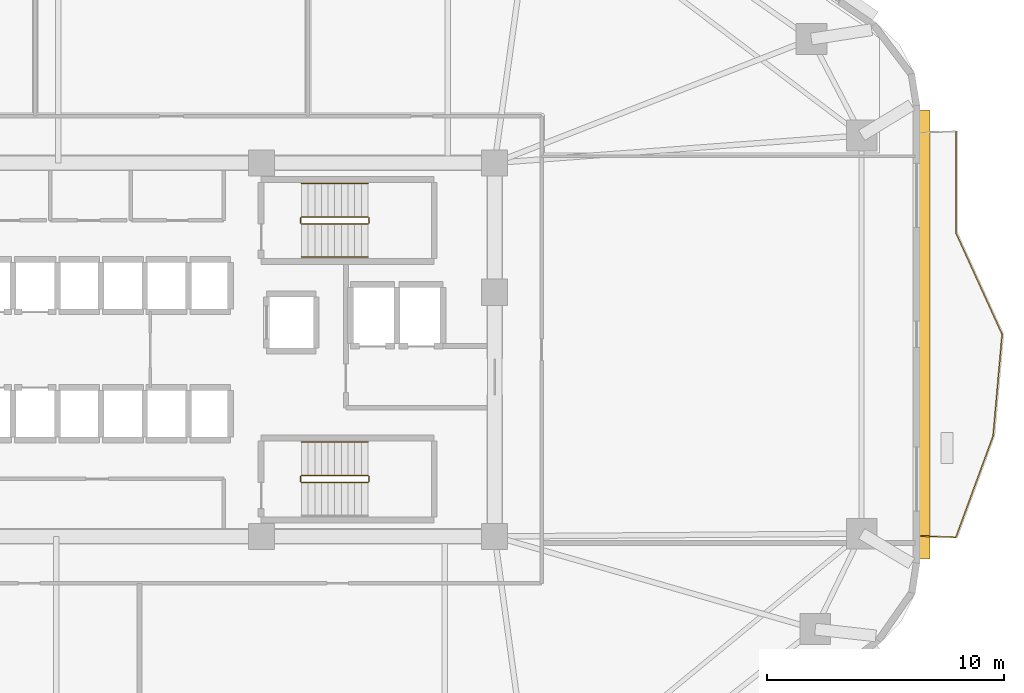
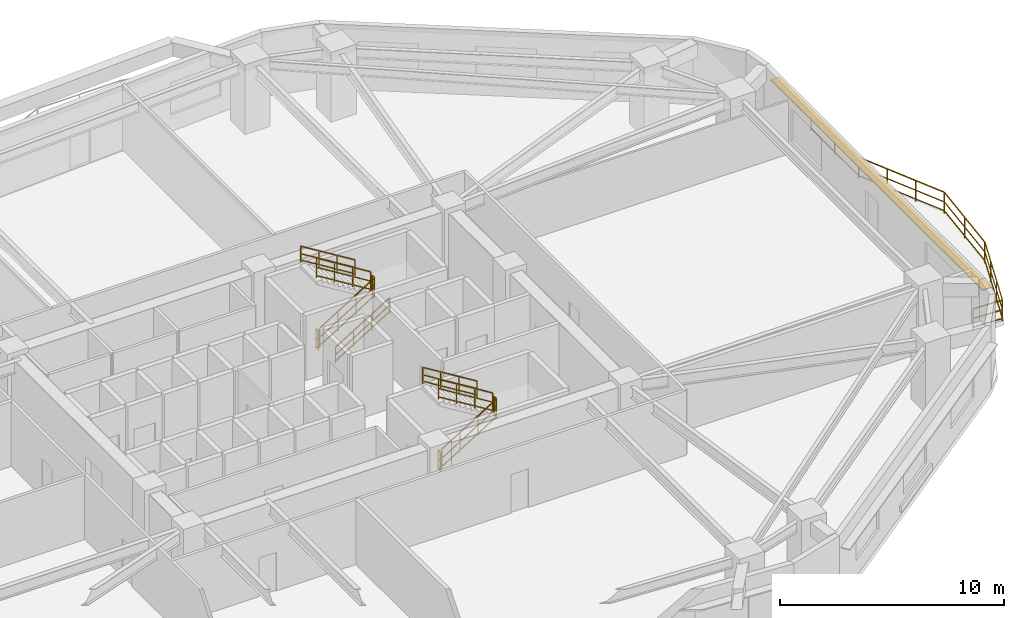
# One storey, part 8 of 9: 16 railings, 1 shading device.
"""IFC4 building model written with IfcOpenShell, lengths in metres."""

from ifc_helpers import new_model, si_unit, direction, frame, origin, origin_2d, place, context, subcontext, project, spatial, rectangle, extrude, material, layer, layer_set, type_object, element, save


model = new_model("IFC4")

# Units and contexts
model_context = context("Model", 3, precision=1e-05, world=origin(), true_north=direction((0.0, 1.0)))
body_context = subcontext(model_context, "Body", "Model", "MODEL_VIEW")
ifc_project = project(units=[si_unit("LENGTHUNIT", "METRE"), si_unit("AREAUNIT", "SQUARE_METRE"), si_unit("VOLUMEUNIT", "CUBIC_METRE"), si_unit("PLANEANGLEUNIT", "RADIAN"), si_unit("MASSUNIT", "GRAM", prefix="KILO")], contexts=[model_context])

# Site, building, storey
site_placement = place(None, origin())
site = spatial("IfcSite", under=ifc_project, at=site_placement, CompositionType="ELEMENT")
building_placement = place(site_placement, origin())
building = spatial("IfcBuilding", under=site, at=building_placement, Name="Zulverin Broadcast Headquarters", CompositionType="ELEMENT")
storey_placement = place(building_placement, frame((0.0, 0.0, 82.0)))
storey = spatial("IfcBuildingStorey", under=building, at=storey_placement, Name="L20", CompositionType="ELEMENT", Elevation=82.0)

# Railings
ifc_material_1 = material(Name="Brushed stainless steel & laminated glass balustrade", Category="steel")
railing_type_1 = type_object("IfcRailingType", Name="RL-GUARD-1150", PredefinedType="GUARDRAIL", material=ifc_material_1)
railing_1_placement = place(storey_placement, frame((66.239990234375, 17.343505859375, 0.0)))
element("IfcRailing", 1, at=railing_1_placement, inside=storey, type_object=railing_type_1, Name="L20 Vertical-Forest Balcony Guardrail BAL_E Segment 01", PredefinedType="GUARDRAIL", context=body_context, shape_type="SweptSolid", body=[
    extrude(rectangle(XDim=0.048095703125, YDim=0.048095703125, at=origin_2d()), frame((0.0, 0.0, 1.1259765625), z_axis=(0.999174410196, -0.040626321628, 0.0), x_axis=(0.040626321628, 0.999174410196, 0.0)), (0.0, 0.0, 1.0), 1.46630859375),
    extrude(rectangle(XDim=0.0419921875, YDim=0.0419921875, at=origin_2d()), frame((0.0, 0.0, 0.597900390625), z_axis=(0.999174410196, -0.040626321628, 0.0), x_axis=(0.040626321628, 0.999174410196, 0.0)), (0.0, 0.0, 1.0), 1.46630859375),
    extrude(rectangle(XDim=0.0419921875, YDim=0.0419921875, at=origin_2d()), frame((0.0, 0.0, 0.1201171875), z_axis=(0.999174410196, -0.040626321628, 0.0), x_axis=(0.040626321628, 0.999174410196, 0.0)), (0.0, 0.0, 1.0), 1.46630859375),
    extrude(rectangle(XDim=0.0419921875, YDim=0.0419921875, at=origin_2d()), origin(), (0.0, 0.0, 1.0), 1.101806640625),
    extrude(rectangle(XDim=0.0419921875, YDim=0.0419921875, at=origin_2d()), frame((1.465087890625, -0.0595703125, 0.0)), (0.0, 0.0, 1.0), 1.101806640625),
])
railing_2_placement = place(storey_placement, frame((67.72509765625, 17.297607421875, 0.0)))
element("IfcRailing", 2, at=railing_2_placement, inside=storey, type_object=railing_type_1, Name="L20 Vertical-Forest Balcony Guardrail BAL_E Segment 02", PredefinedType="GUARDRAIL", context=body_context, shape_type="SweptSolid", body=[
    extrude(rectangle(XDim=0.048095703125, YDim=0.048095703125, at=origin_2d()), frame((0.0, 0.0, 1.1259765625), z_axis=(0.344609188116, 0.938746242318, 0.0), x_axis=(-0.938746242318, 0.344609188116, 0.0)), (0.0, 0.0, 1.0), 4.531982421875),
    extrude(rectangle(XDim=0.0419921875, YDim=0.0419921875, at=origin_2d()), frame((0.0, 0.0, 0.597900390625), z_axis=(0.344609188116, 0.938746242318, 0.0), x_axis=(-0.938746242318, 0.344609188116, 0.0)), (0.0, 0.0, 1.0), 4.531982421875),
    extrude(rectangle(XDim=0.0419921875, YDim=0.0419921875, at=origin_2d()), frame((0.0, 0.0, 0.1201171875), z_axis=(0.344609188116, 0.938746242318, 0.0), x_axis=(-0.938746242318, 0.344609188116, 0.0)), (0.0, 0.0, 1.0), 4.531982421875),
    extrude(rectangle(XDim=0.0419921875, YDim=0.0419921875, at=origin_2d()), origin(), (0.0, 0.0, 1.0), 1.101806640625),
    extrude(rectangle(XDim=0.0419921875, YDim=0.0419921875, at=origin_2d()), frame((0.5205078125, 1.418212890625, 0.0)), (0.0, 0.0, 1.0), 1.101806640625),
    extrude(rectangle(XDim=0.0419921875, YDim=0.0419921875, at=origin_2d()), frame((1.041259765625, 2.836181640625, 0.0)), (0.0, 0.0, 1.0), 1.101806640625),
    extrude(rectangle(XDim=0.0419921875, YDim=0.0419921875, at=origin_2d()), frame((1.561767578125, 4.25439453125, 0.0)), (0.0, 0.0, 1.0), 1.101806640625),
])
railing_3_placement = place(storey_placement, frame((69.293212890625, 21.5810546875, 0.0)))
element("IfcRailing", 3, at=railing_3_placement, inside=storey, type_object=railing_type_1, Name="L20 Vertical-Forest Balcony Guardrail BAL_E Segment 03", PredefinedType="GUARDRAIL", context=body_context, shape_type="SweptSolid", body=[
    extrude(rectangle(XDim=0.048095703125, YDim=0.048095703125, at=origin_2d()), frame((0.0, 0.0, 1.1259765625), z_axis=(0.087947213547, 0.996125136531, 0.0), x_axis=(-0.996125136531, 0.087947213547, 0.0)), (0.0, 0.0, 1.0), 4.26953125),
    extrude(rectangle(XDim=0.0419921875, YDim=0.0419921875, at=origin_2d()), frame((0.0, 0.0, 0.597900390625), z_axis=(0.087947213547, 0.996125136531, 0.0), x_axis=(-0.996125136531, 0.087947213547, 0.0)), (0.0, 0.0, 1.0), 4.26953125),
    extrude(rectangle(XDim=0.0419921875, YDim=0.0419921875, at=origin_2d()), frame((0.0, 0.0, 0.1201171875), z_axis=(0.087947213547, 0.996125136531, 0.0), x_axis=(-0.996125136531, 0.087947213547, 0.0)), (0.0, 0.0, 1.0), 4.26953125),
    extrude(rectangle(XDim=0.0419921875, YDim=0.0419921875, at=origin_2d()), origin(), (0.0, 0.0, 1.0), 1.101806640625),
    extrude(rectangle(XDim=0.0419921875, YDim=0.0419921875, at=origin_2d()), frame((0.187744140625, 2.12646484375, 0.0)), (0.0, 0.0, 1.0), 1.101806640625),
    extrude(rectangle(XDim=0.0419921875, YDim=0.0419921875, at=origin_2d()), frame((0.37548828125, 4.2529296875, 0.0)), (0.0, 0.0, 1.0), 1.101806640625),
])
railing_4_placement = place(storey_placement, frame((69.663818359375, 25.862548828125, 0.0)))
element("IfcRailing", 4, at=railing_4_placement, inside=storey, type_object=railing_type_1, Name="L20 Vertical-Forest Balcony Guardrail BAL_E Segment 04", PredefinedType="GUARDRAIL", context=body_context, shape_type="SweptSolid", body=[
    extrude(rectangle(XDim=0.048095703125, YDim=0.048095703125, at=origin_2d()), frame((0.0, 0.0, 1.1259765625), z_axis=(-0.414377225537, 0.910105221915, 0.0), x_axis=(-0.910105221915, -0.414377225537, 0.0)), (0.0, 0.0, 1.0), 4.67578125),
    extrude(rectangle(XDim=0.0419921875, YDim=0.0419921875, at=origin_2d()), frame((0.0, 0.0, 0.597900390625), z_axis=(-0.414377225537, 0.910105221915, 0.0), x_axis=(-0.910105221915, -0.414377225537, 0.0)), (0.0, 0.0, 1.0), 4.67578125),
    extrude(rectangle(XDim=0.0419921875, YDim=0.0419921875, at=origin_2d()), frame((0.0, 0.0, 0.1201171875), z_axis=(-0.414377225537, 0.910105221915, 0.0), x_axis=(-0.910105221915, -0.414377225537, 0.0)), (0.0, 0.0, 1.0), 4.67578125),
    extrude(rectangle(XDim=0.0419921875, YDim=0.0419921875, at=origin_2d()), origin(), (0.0, 0.0, 1.0), 1.101806640625),
    extrude(rectangle(XDim=0.0419921875, YDim=0.0419921875, at=origin_2d()), frame((-0.645751953125, 1.41845703125, 0.0)), (0.0, 0.0, 1.0), 1.101806640625),
    extrude(rectangle(XDim=0.0419921875, YDim=0.0419921875, at=origin_2d()), frame((-1.291748046875, 2.8369140625, 0.0)), (0.0, 0.0, 1.0), 1.101806640625),
    extrude(rectangle(XDim=0.0419921875, YDim=0.0419921875, at=origin_2d()), frame((-1.9375, 4.25537109375, 0.0)), (0.0, 0.0, 1.0), 1.101806640625),
])
railing_5_placement = place(storey_placement, frame((67.719970703125, 30.146728515625, 0.0)))
element("IfcRailing", 5, at=railing_5_placement, inside=storey, type_object=railing_type_1, Name="L20 Vertical-Forest Balcony Guardrail BAL_E Segment 05", PredefinedType="GUARDRAIL", context=body_context, shape_type="SweptSolid", body=[
    extrude(rectangle(XDim=0.048095703125, YDim=0.048095703125, at=origin_2d()), frame((0.0, 0.0, 1.1259765625), z_axis=(0.0, 1.0, 0.0), x_axis=(-1.0, 0.0, 0.0)), (0.0, 0.0, 1.0), 4.252685546875),
    extrude(rectangle(XDim=0.0419921875, YDim=0.0419921875, at=origin_2d()), frame((0.0, 0.0, 0.597900390625), z_axis=(0.0, 1.0, 0.0), x_axis=(-1.0, 0.0, 0.0)), (0.0, 0.0, 1.0), 4.252685546875),
    extrude(rectangle(XDim=0.0419921875, YDim=0.0419921875, at=origin_2d()), frame((0.0, 0.0, 0.1201171875), z_axis=(0.0, 1.0, 0.0), x_axis=(-1.0, 0.0, 0.0)), (0.0, 0.0, 1.0), 4.252685546875),
    extrude(rectangle(XDim=0.0419921875, YDim=0.0419921875, at=origin_2d()), origin(), (0.0, 0.0, 1.0), 1.101806640625),
    extrude(rectangle(XDim=0.0419921875, YDim=0.0419921875, at=origin_2d()), frame((0.0, 2.12646484375, 0.0)), (0.0, 0.0, 1.0), 1.101806640625),
    extrude(rectangle(XDim=0.0419921875, YDim=0.0419921875, at=origin_2d()), frame((0.0, 4.252685546875, 0.0)), (0.0, 0.0, 1.0), 1.101806640625),
])
ifc_material_2 = material(Name="Painted galvanized steel tubular guardrail S355JR", Category="steel")
railing_type_2 = type_object("IfcRailingType", Name="RL-ST-GUARD", PredefinedType="GUARDRAIL", material=ifc_material_2)
railing_6_placement = place(storey_placement, frame((40.1298828125, 30.5, 0.172607421875)))
element("IfcRailing", 6, at=railing_6_placement, inside=storey, type_object=railing_type_2, Name="L20 ST-1 stair guard 1", PredefinedType="GUARDRAIL", context=body_context, shape_type="SweptSolid", body=[
    extrude(rectangle(XDim=0.048095703125, YDim=0.048095703125, at=origin_2d()), frame((0.0, 0.0, 1.076171875), z_axis=(0.851089632645, 0.0, 0.525020415988), x_axis=(0.0, 1.0, 0.0)), (0.0, 0.0, 1.0), 3.2900390625),
    extrude(rectangle(XDim=0.0419921875, YDim=0.0419921875, at=origin_2d()), frame((0.0, 0.0, 0.572021484375), z_axis=(0.851089632645, 0.0, 0.525020415988), x_axis=(0.0, 1.0, 0.0)), (0.0, 0.0, 1.0), 3.2900390625),
    extrude(rectangle(XDim=0.0419921875, YDim=0.0419921875, at=origin_2d()), frame((0.0, 0.0, 0.1201171875), z_axis=(0.851089632645, 0.0, 0.525020415988), x_axis=(0.0, 1.0, 0.0)), (0.0, 0.0, 1.0), 3.2900390625),
    extrude(rectangle(XDim=0.0419921875, YDim=0.0419921875, at=origin_2d()), origin(), (0.0, 0.0, 1.0), 1.052001953125),
    extrude(rectangle(XDim=0.0419921875, YDim=0.0419921875, at=origin_2d()), frame((0.933349609375, 0.0, 0.57568359375)), (0.0, 0.0, 1.0), 1.052001953125),
    extrude(rectangle(XDim=0.0419921875, YDim=0.0419921875, at=origin_2d()), frame((1.86669921875, 0.0, 1.151611328125)), (0.0, 0.0, 1.0), 1.052001953125),
    extrude(rectangle(XDim=0.0419921875, YDim=0.0419921875, at=origin_2d()), frame((2.800048828125, 0.0, 1.727294921875)), (0.0, 0.0, 1.0), 1.052001953125),
])
railing_7_placement = place(storey_placement, frame((42.97998046875, 30.550048828125, 1.89990234375)))
element("IfcRailing", 7, at=railing_7_placement, inside=storey, type_object=railing_type_2, Name="L20 ST-1 stair guard 2", PredefinedType="GUARDRAIL", context=body_context, shape_type="SweptSolid", body=[
    extrude(rectangle(XDim=0.048095703125, YDim=0.048095703125, at=origin_2d()), frame((0.0, 0.0, 1.076171875), z_axis=(0.0, 1.0, 0.0), x_axis=(-1.0, 0.0, 0.0)), (0.0, 0.0, 1.0), 0.199951171875),
    extrude(rectangle(XDim=0.0419921875, YDim=0.0419921875, at=origin_2d()), frame((0.0, 0.0, 0.572021484375), z_axis=(0.0, 1.0, 0.0), x_axis=(-1.0, 0.0, 0.0)), (0.0, 0.0, 1.0), 0.199951171875),
    extrude(rectangle(XDim=0.0419921875, YDim=0.0419921875, at=origin_2d()), frame((0.0, 0.0, 0.1201171875), z_axis=(0.0, 1.0, 0.0), x_axis=(-1.0, 0.0, 0.0)), (0.0, 0.0, 1.0), 0.199951171875),
    extrude(rectangle(XDim=0.0419921875, YDim=0.0419921875, at=origin_2d()), origin(), (0.0, 0.0, 1.0), 1.052001953125),
    extrude(rectangle(XDim=0.0419921875, YDim=0.0419921875, at=origin_2d()), frame((0.0, 0.199951171875, 0.0)), (0.0, 0.0, 1.0), 1.052001953125),
])
railing_8_placement = place(storey_placement, frame((42.929931640625, 30.800048828125, 2.07275390625)))
element("IfcRailing", 8, at=railing_8_placement, inside=storey, type_object=railing_type_2, Name="L20 ST-1 stair guard 3", PredefinedType="GUARDRAIL", context=body_context, shape_type="SweptSolid", body=[
    extrude(rectangle(XDim=0.048095703125, YDim=0.048095703125, at=origin_2d()), frame((0.0, 0.0, 1.076171875), z_axis=(-0.851089632645, 0.0, 0.525020415988), x_axis=(0.0, -1.0, 0.0)), (0.0, 0.0, 1.0), 3.2900390625),
    extrude(rectangle(XDim=0.0419921875, YDim=0.0419921875, at=origin_2d()), frame((0.0, 0.0, 0.572021484375), z_axis=(-0.851089632645, 0.0, 0.525020415988), x_axis=(0.0, -1.0, 0.0)), (0.0, 0.0, 1.0), 3.2900390625),
    extrude(rectangle(XDim=0.0419921875, YDim=0.0419921875, at=origin_2d()), frame((0.0, 0.0, 0.1201171875), z_axis=(-0.851089632645, 0.0, 0.525020415988), x_axis=(0.0, -1.0, 0.0)), (0.0, 0.0, 1.0), 3.2900390625),
    extrude(rectangle(XDim=0.0419921875, YDim=0.0419921875, at=origin_2d()), origin(), (0.0, 0.0, 1.0), 1.052001953125),
    extrude(rectangle(XDim=0.0419921875, YDim=0.0419921875, at=origin_2d()), frame((-0.933349609375, 0.0, 0.57568359375)), (0.0, 0.0, 1.0), 1.052001953125),
    extrude(rectangle(XDim=0.0419921875, YDim=0.0419921875, at=origin_2d()), frame((-1.86669921875, 0.0, 1.151611328125)), (0.0, 0.0, 1.0), 1.052001953125),
    extrude(rectangle(XDim=0.0419921875, YDim=0.0419921875, at=origin_2d()), frame((-2.800048828125, 0.0, 1.727294921875)), (0.0, 0.0, 1.0), 1.052001953125),
])
railing_9_placement = place(storey_placement, frame((40.080078125, 30.550048828125, 0.0)))
element("IfcRailing", 9, at=railing_9_placement, inside=storey, type_object=railing_type_2, Name="L20 ST-1 stair guard 4", PredefinedType="GUARDRAIL", context=body_context, shape_type="SweptSolid", body=[
    extrude(rectangle(XDim=0.048095703125, YDim=0.048095703125, at=origin_2d()), frame((0.0, 0.0, 1.076171875), z_axis=(0.0, 1.0, 0.0), x_axis=(-1.0, 0.0, 0.0)), (0.0, 0.0, 1.0), 0.199951171875),
    extrude(rectangle(XDim=0.0419921875, YDim=0.0419921875, at=origin_2d()), frame((0.0, 0.0, 0.572021484375), z_axis=(0.0, 1.0, 0.0), x_axis=(-1.0, 0.0, 0.0)), (0.0, 0.0, 1.0), 0.199951171875),
    extrude(rectangle(XDim=0.0419921875, YDim=0.0419921875, at=origin_2d()), frame((0.0, 0.0, 0.1201171875), z_axis=(0.0, 1.0, 0.0), x_axis=(-1.0, 0.0, 0.0)), (0.0, 0.0, 1.0), 0.199951171875),
    extrude(rectangle(XDim=0.0419921875, YDim=0.0419921875, at=origin_2d()), origin(), (0.0, 0.0, 1.0), 1.052001953125),
    extrude(rectangle(XDim=0.0419921875, YDim=0.0419921875, at=origin_2d()), frame((0.0, 0.199951171875, 0.0)), (0.0, 0.0, 1.0), 1.052001953125),
])
railing_10_placement = place(storey_placement, frame((40.1298828125, 19.60009765625, 0.172607421875)))
element("IfcRailing", 10, at=railing_10_placement, inside=storey, type_object=railing_type_2, Name="L20 ST-2 stair guard 1", PredefinedType="GUARDRAIL", context=body_context, shape_type="SweptSolid", body=[
    extrude(rectangle(XDim=0.048095703125, YDim=0.048095703125, at=origin_2d()), frame((0.0, 0.0, 1.076171875), z_axis=(0.851089632645, 0.0, 0.525020415988), x_axis=(0.0, 1.0, 0.0)), (0.0, 0.0, 1.0), 3.2900390625),
    extrude(rectangle(XDim=0.0419921875, YDim=0.0419921875, at=origin_2d()), frame((0.0, 0.0, 0.572021484375), z_axis=(0.851089632645, 0.0, 0.525020415988), x_axis=(0.0, 1.0, 0.0)), (0.0, 0.0, 1.0), 3.2900390625),
    extrude(rectangle(XDim=0.0419921875, YDim=0.0419921875, at=origin_2d()), frame((0.0, 0.0, 0.1201171875), z_axis=(0.851089632645, 0.0, 0.525020415988), x_axis=(0.0, 1.0, 0.0)), (0.0, 0.0, 1.0), 3.2900390625),
    extrude(rectangle(XDim=0.0419921875, YDim=0.0419921875, at=origin_2d()), origin(), (0.0, 0.0, 1.0), 1.052001953125),
    extrude(rectangle(XDim=0.0419921875, YDim=0.0419921875, at=origin_2d()), frame((0.933349609375, 0.0, 0.57568359375)), (0.0, 0.0, 1.0), 1.052001953125),
    extrude(rectangle(XDim=0.0419921875, YDim=0.0419921875, at=origin_2d()), frame((1.86669921875, 0.0, 1.151611328125)), (0.0, 0.0, 1.0), 1.052001953125),
    extrude(rectangle(XDim=0.0419921875, YDim=0.0419921875, at=origin_2d()), frame((2.800048828125, 0.0, 1.727294921875)), (0.0, 0.0, 1.0), 1.052001953125),
])
railing_11_placement = place(storey_placement, frame((42.97998046875, 19.64990234375, 1.89990234375)))
element("IfcRailing", 11, at=railing_11_placement, inside=storey, type_object=railing_type_2, Name="L20 ST-2 stair guard 2", PredefinedType="GUARDRAIL", context=body_context, shape_type="SweptSolid", body=[
    extrude(rectangle(XDim=0.048095703125, YDim=0.048095703125, at=origin_2d()), frame((0.0, 0.0, 1.076171875), z_axis=(0.0, 1.0, 0.0), x_axis=(-1.0, 0.0, 0.0)), (0.0, 0.0, 1.0), 0.2001953125),
    extrude(rectangle(XDim=0.0419921875, YDim=0.0419921875, at=origin_2d()), frame((0.0, 0.0, 0.572021484375), z_axis=(0.0, 1.0, 0.0), x_axis=(-1.0, 0.0, 0.0)), (0.0, 0.0, 1.0), 0.2001953125),
    extrude(rectangle(XDim=0.0419921875, YDim=0.0419921875, at=origin_2d()), frame((0.0, 0.0, 0.1201171875), z_axis=(0.0, 1.0, 0.0), x_axis=(-1.0, 0.0, 0.0)), (0.0, 0.0, 1.0), 0.2001953125),
    extrude(rectangle(XDim=0.0419921875, YDim=0.0419921875, at=origin_2d()), origin(), (0.0, 0.0, 1.0), 1.052001953125),
    extrude(rectangle(XDim=0.0419921875, YDim=0.0419921875, at=origin_2d()), frame((0.0, 0.2001953125, 0.0)), (0.0, 0.0, 1.0), 1.052001953125),
])
railing_12_placement = place(storey_placement, frame((42.929931640625, 19.89990234375, 2.07275390625)))
element("IfcRailing", 12, at=railing_12_placement, inside=storey, type_object=railing_type_2, Name="L20 ST-2 stair guard 3", PredefinedType="GUARDRAIL", context=body_context, shape_type="SweptSolid", body=[
    extrude(rectangle(XDim=0.048095703125, YDim=0.048095703125, at=origin_2d()), frame((0.0, 0.0, 1.076171875), z_axis=(-0.851089632645, 0.0, 0.525020415988), x_axis=(0.0, -1.0, 0.0)), (0.0, 0.0, 1.0), 3.2900390625),
    extrude(rectangle(XDim=0.0419921875, YDim=0.0419921875, at=origin_2d()), frame((0.0, 0.0, 0.572021484375), z_axis=(-0.851089632645, 0.0, 0.525020415988), x_axis=(0.0, -1.0, 0.0)), (0.0, 0.0, 1.0), 3.2900390625),
    extrude(rectangle(XDim=0.0419921875, YDim=0.0419921875, at=origin_2d()), frame((0.0, 0.0, 0.1201171875), z_axis=(-0.851089632645, 0.0, 0.525020415988), x_axis=(0.0, -1.0, 0.0)), (0.0, 0.0, 1.0), 3.2900390625),
    extrude(rectangle(XDim=0.0419921875, YDim=0.0419921875, at=origin_2d()), origin(), (0.0, 0.0, 1.0), 1.052001953125),
    extrude(rectangle(XDim=0.0419921875, YDim=0.0419921875, at=origin_2d()), frame((-0.933349609375, 0.0, 0.57568359375)), (0.0, 0.0, 1.0), 1.052001953125),
    extrude(rectangle(XDim=0.0419921875, YDim=0.0419921875, at=origin_2d()), frame((-1.86669921875, 0.0, 1.151611328125)), (0.0, 0.0, 1.0), 1.052001953125),
    extrude(rectangle(XDim=0.0419921875, YDim=0.0419921875, at=origin_2d()), frame((-2.800048828125, 0.0, 1.727294921875)), (0.0, 0.0, 1.0), 1.052001953125),
])
railing_13_placement = place(storey_placement, frame((40.080078125, 19.64990234375, 0.0)))
element("IfcRailing", 13, at=railing_13_placement, inside=storey, type_object=railing_type_2, Name="L20 ST-2 stair guard 4", PredefinedType="GUARDRAIL", context=body_context, shape_type="SweptSolid", body=[
    extrude(rectangle(XDim=0.048095703125, YDim=0.048095703125, at=origin_2d()), frame((0.0, 0.0, 1.076171875), z_axis=(0.0, 1.0, 0.0), x_axis=(-1.0, 0.0, 0.0)), (0.0, 0.0, 1.0), 0.2001953125),
    extrude(rectangle(XDim=0.0419921875, YDim=0.0419921875, at=origin_2d()), frame((0.0, 0.0, 0.572021484375), z_axis=(0.0, 1.0, 0.0), x_axis=(-1.0, 0.0, 0.0)), (0.0, 0.0, 1.0), 0.2001953125),
    extrude(rectangle(XDim=0.0419921875, YDim=0.0419921875, at=origin_2d()), frame((0.0, 0.0, 0.1201171875), z_axis=(0.0, 1.0, 0.0), x_axis=(-1.0, 0.0, 0.0)), (0.0, 0.0, 1.0), 0.2001953125),
    extrude(rectangle(XDim=0.0419921875, YDim=0.0419921875, at=origin_2d()), origin(), (0.0, 0.0, 1.0), 1.052001953125),
    extrude(rectangle(XDim=0.0419921875, YDim=0.0419921875, at=origin_2d()), frame((0.0, 0.2001953125, 0.0)), (0.0, 0.0, 1.0), 1.052001953125),
])
ifc_material_3 = material(Name="Brushed stainless steel 48 mm handrail", Category="steel")
railing_type_3 = type_object("IfcRailingType", Name="RL-ST-HAND", PredefinedType="HANDRAIL", material=ifc_material_3)
railing_14_placement = place(storey_placement, frame((40.1298828125, 29.10009765625, 0.172607421875)))
element("IfcRailing", 14, at=railing_14_placement, inside=storey, type_object=railing_type_3, Name="L20 ST-1 stair handrail 1", PredefinedType="HANDRAIL", context=body_context, shape_type="SweptSolid", body=[
    extrude(rectangle(XDim=0.048095703125, YDim=0.048095703125, at=origin_2d()), frame((0.0, 0.0, 0.8759765625), z_axis=(0.851089632645, 0.0, 0.525020415988), x_axis=(0.0, 1.0, 0.0)), (0.0, 0.0, 1.0), 3.2900390625),
    extrude(rectangle(XDim=0.0419921875, YDim=0.0419921875, at=origin_2d()), frame((0.0, 0.0, 0.468017578125), z_axis=(0.851089632645, 0.0, 0.525020415988), x_axis=(0.0, 1.0, 0.0)), (0.0, 0.0, 1.0), 3.2900390625),
    extrude(rectangle(XDim=0.0419921875, YDim=0.0419921875, at=origin_2d()), frame((0.0, 0.0, 0.1201171875), z_axis=(0.851089632645, 0.0, 0.525020415988), x_axis=(0.0, 1.0, 0.0)), (0.0, 0.0, 1.0), 3.2900390625),
    extrude(rectangle(XDim=0.0419921875, YDim=0.0419921875, at=origin_2d()), origin(), (0.0, 0.0, 1.0), 0.851806640625),
    extrude(rectangle(XDim=0.0419921875, YDim=0.0419921875, at=origin_2d()), frame((0.933349609375, 0.0, 0.57568359375)), (0.0, 0.0, 1.0), 0.851806640625),
    extrude(rectangle(XDim=0.0419921875, YDim=0.0419921875, at=origin_2d()), frame((1.86669921875, 0.0, 1.151611328125)), (0.0, 0.0, 1.0), 0.851806640625),
    extrude(rectangle(XDim=0.0419921875, YDim=0.0419921875, at=origin_2d()), frame((2.800048828125, 0.0, 1.727294921875)), (0.0, 0.0, 1.0), 0.851806640625),
])
for number, where, name in (
    (15, (42.929931640625, 32.199951171875, 2.07275390625), "L20 ST-1 stair handrail 2"),
    (16, (42.929931640625, 21.300048828125, 2.07275390625), "L20 ST-2 stair handrail 2"),
):
    element("IfcRailing", number, at=place(storey_placement, frame(where)), inside=storey, type_object=railing_type_3, Name=name, PredefinedType="HANDRAIL", context=body_context, shape_type="SweptSolid", body=[
        extrude(rectangle(XDim=0.048095703125, YDim=0.048095703125, at=origin_2d()), frame((0.0, 0.0, 0.8759765625), z_axis=(-0.851089632645, 0.0, 0.525020415988), x_axis=(0.0, -1.0, 0.0)), (0.0, 0.0, 1.0), 3.2900390625),
        extrude(rectangle(XDim=0.0419921875, YDim=0.0419921875, at=origin_2d()), frame((0.0, 0.0, 0.468017578125), z_axis=(-0.851089632645, 0.0, 0.525020415988), x_axis=(0.0, -1.0, 0.0)), (0.0, 0.0, 1.0), 3.2900390625),
        extrude(rectangle(XDim=0.0419921875, YDim=0.0419921875, at=origin_2d()), frame((0.0, 0.0, 0.1201171875), z_axis=(-0.851089632645, 0.0, 0.525020415988), x_axis=(0.0, -1.0, 0.0)), (0.0, 0.0, 1.0), 3.2900390625),
        extrude(rectangle(XDim=0.0419921875, YDim=0.0419921875, at=origin_2d()), origin(), (0.0, 0.0, 1.0), 0.851806640625),
        extrude(rectangle(XDim=0.0419921875, YDim=0.0419921875, at=origin_2d()), frame((-0.933349609375, 0.0, 0.57568359375)), (0.0, 0.0, 1.0), 0.851806640625),
        extrude(rectangle(XDim=0.0419921875, YDim=0.0419921875, at=origin_2d()), frame((-1.86669921875, 0.0, 1.151611328125)), (0.0, 0.0, 1.0), 0.851806640625),
        extrude(rectangle(XDim=0.0419921875, YDim=0.0419921875, at=origin_2d()), frame((-2.800048828125, 0.0, 1.727294921875)), (0.0, 0.0, 1.0), 0.851806640625),
    ])

# Shading device
ifc_material_4 = material(Name="Anodized pale-metal aluminium sunshade", Category="aluminium")
ifc_layer = layer(ifc_material_4, 0.06005859375, Name="Anodized pale-metal aluminium sunshade", Category="aluminium")
ifc_layer_set = layer_set([ifc_layer], Name="Anodized pale-metal aluminium sunshade")
shading_device_type = type_object("IfcShadingDeviceType", Name="SS-01_PALE_METAL_ALUMINIUM_SUNSHADE", PredefinedType="USERDEFINED", material=ifc_layer_set)
shading_device_placement = place(storey_placement, frame((66.39990234375, 25.848876953125, 2.7099609375), z_axis=(0.0, 0.0, 1.0), x_axis=(0.0, 1.0, 0.0)))
element("IfcShadingDevice", 17, at=shading_device_placement, inside=storey, type_object=shading_device_type, Name="L20 Horizontal Pale-Metal Sunshade Band 3", ObjectType="SUNSHADE", PredefinedType="USERDEFINED", context=body_context, shape_type="SweptSolid", body=[
    extrude(rectangle(XDim=18.93115234375, YDim=0.449951171875, at=origin_2d()), origin(), (0.0, 0.0, 1.0), 0.06005859375),
])

save(model, "model.ifc")
